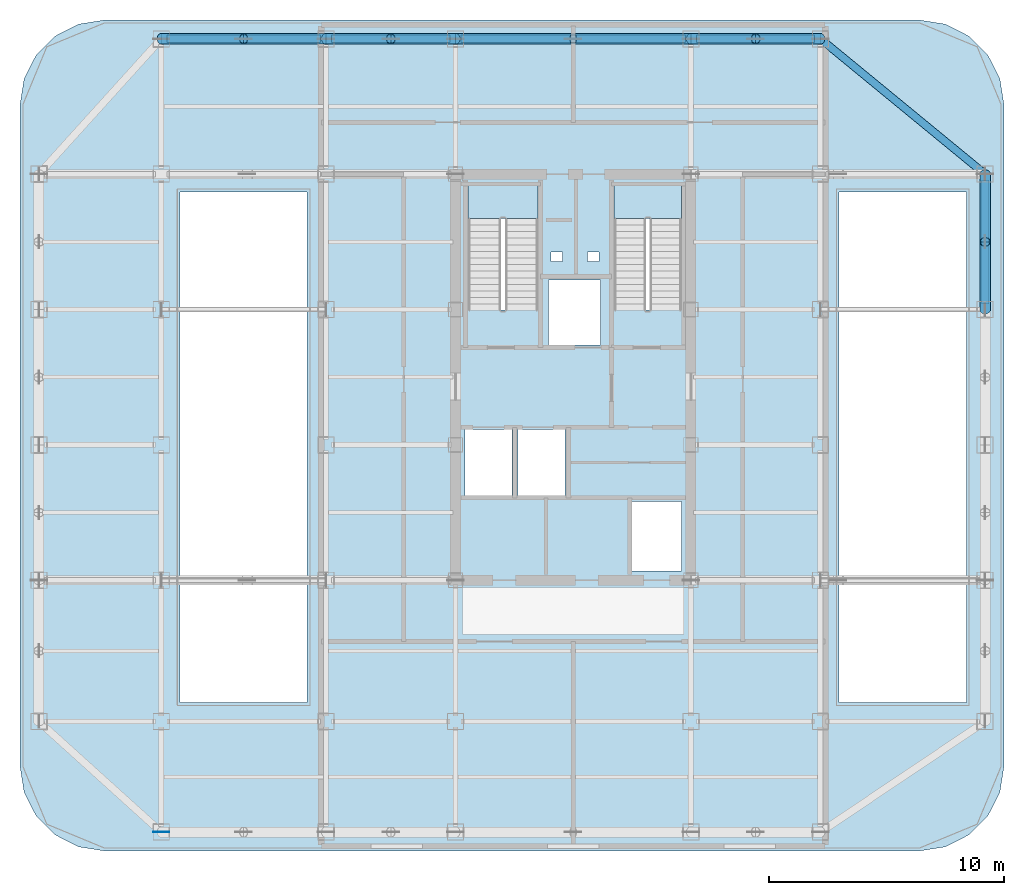
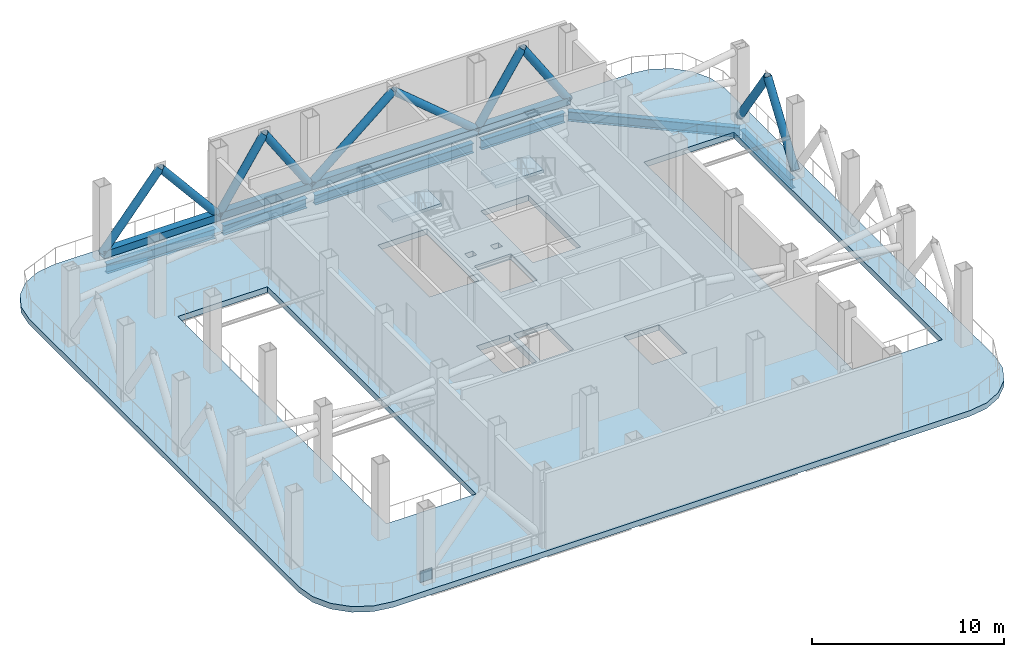
# One storey, part 3 of 10: 14 members, 6 beams, 3 slabs, 1 plate, 2 elements without a shape of their own.
"""IFC4 building model written with IfcOpenShell, lengths in metres."""

from ifc_helpers import new_model, si_unit, direction, frame, origin, origin_2d, place, context, subcontext, project, spatial, polyline, rectangle, hollow_rectangle, hollow_circle, i_section, outline, extrude, source, transform, mapped, material, layer, layer_set, material_profile, profile_set, type_object, element, aggregate, save


model = new_model("IFC4")

# Units and contexts
model_context = context("Model", 3, precision=1e-05, world=origin(), true_north=direction((0.0, 1.0)))
body_context = subcontext(model_context, "Body", "Model", "MODEL_VIEW")
ifc_project = project(units=[si_unit("LENGTHUNIT", "METRE"), si_unit("AREAUNIT", "SQUARE_METRE"), si_unit("VOLUMEUNIT", "CUBIC_METRE"), si_unit("PLANEANGLEUNIT", "RADIAN"), si_unit("MASSUNIT", "GRAM", prefix="KILO")], contexts=[model_context])

# Site, building, storey
site_placement = place(None, origin())
site = spatial("IfcSite", under=ifc_project, at=site_placement, CompositionType="ELEMENT")
building_placement = place(site_placement, origin())
building = spatial("IfcBuilding", under=site, at=building_placement, Name="Kolveth Station Tower", CompositionType="ELEMENT")
storey_placement = place(building_placement, frame((0.0, 0.0, 188.10009765625)))
storey = spatial("IfcBuildingStorey", under=building, at=storey_placement, Name="L53", CompositionType="ELEMENT", Elevation=188.10009765625)

# Beams
ifc_material_1 = material(Name="Steel S355", Category="steel")
ifc_material_profile_1 = material_profile(ifc_material_1, i_section(OverallWidth=0.323974609375, OverallDepth=0.611083984375, WebThickness=0.0126953125, FlangeThickness=0.01904296875, at=origin_2d()), Name="W610x155")
ifc_profile_set_1 = profile_set([ifc_material_profile_1], Name="Steel S355")
beam_type = type_object("IfcBeamType", Name="Beam_SP2", PredefinedType="SPANDREL", material=ifc_profile_set_1)
shared_shape_1 = source(origin(), body_context, "Body", "SweptSolid", [
    extrude(i_section(OverallWidth=0.323974609375, OverallDepth=0.611083984375, WebThickness=0.0126953125, FlangeThickness=0.01904296875, at=origin_2d()), origin(), (0.0, 0.0, 1.0), 6.52001953125),
])
beam_1_placement = place(storey_placement, frame((6.239990234375, 34.5, -0.66552734375), z_axis=(1.0, 0.0, 0.0), x_axis=(0.0, 1.0, 0.0)))
element("IfcBeam", 1, at=beam_1_placement, inside=storey, type_object=beam_type, Name="L53 Perimeter Spandrel BM-L53-PN-1", PredefinedType="SPANDREL", context=body_context, shape_type="MappedRepresentation", body=[
    mapped(shared_shape_1, transform((0.0, 0.0, 0.0), x_axis=(1.0, 0.0, 0.0), y_axis=(0.0, 1.0, 0.0), z_axis=(0.0, 0.0, 1.0), scale=1.0)),
])
shared_shape_2 = source(origin(), body_context, "Body", "SweptSolid", [
    extrude(i_section(OverallWidth=0.323974609375, OverallDepth=0.611083984375, WebThickness=0.0126953125, FlangeThickness=0.01904296875, at=origin_2d()), origin(), (0.0, 0.0, 1.0), 5.02001953125),
])
for number, where, z_axis, x_axis, name in (
    (2, (13.239990234375, 34.5, -0.66552734375), (1.0, 0.0, 0.0), (0.0, 1.0, 0.0), "L53 Perimeter Spandrel BM-L53-PN-2"),
    (3, (28.739990234375, 34.5, -0.66552734375), (1.0, 0.0, 0.0), (0.0, 1.0, 0.0), "L53 Perimeter Spandrel BM-L53-PN-4"),
):
    element("IfcBeam", number, at=place(storey_placement, frame(where, z_axis=z_axis, x_axis=x_axis)), inside=storey, type_object=beam_type, Name=name, PredefinedType="SPANDREL", context=body_context, shape_type="MappedRepresentation", body=[
        mapped(shared_shape_2, transform((0.0, 0.0, 0.0), x_axis=(1.0, 0.0, 0.0), y_axis=(0.0, 1.0, 0.0), z_axis=(0.0, 0.0, 1.0), scale=1.0)),
    ])
shared_shape_3 = source(origin(), body_context, "Body", "SweptSolid", [
    extrude(i_section(OverallWidth=0.323974609375, OverallDepth=0.611083984375, WebThickness=0.0126953125, FlangeThickness=0.01904296875, at=origin_2d()), origin(), (0.0, 0.0, 1.0), 9.52001953125),
])
beam_2_placement = place(storey_placement, frame((18.739990234375, 34.5, -0.66552734375), z_axis=(1.0, 0.0, 0.0), x_axis=(0.0, 1.0, 0.0)))
element("IfcBeam", 4, at=beam_2_placement, inside=storey, type_object=beam_type, Name="L53 Perimeter Spandrel BM-L53-PN-3", PredefinedType="SPANDREL", context=body_context, shape_type="MappedRepresentation", body=[
    mapped(shared_shape_3, transform((0.0, 0.0, 0.0), x_axis=(1.0, 0.0, 0.0), y_axis=(0.0, 1.0, 0.0), z_axis=(0.0, 0.0, 1.0), scale=1.0)),
])
shared_shape_4 = source(origin(), body_context, "Body", "SweptSolid", [
    extrude(i_section(OverallWidth=0.323974609375, OverallDepth=0.611083984375, WebThickness=0.0126953125, FlangeThickness=0.01904296875, at=origin_2d()), origin(), (0.0, 0.0, 1.0), 5.27001953125),
])
beam_3_placement = place(storey_placement, frame((41.0, 23.239990234375, -0.66552734375), z_axis=(0.0, 1.0, 0.0), x_axis=(-1.0, 0.0, 0.0)))
element("IfcBeam", 5, at=beam_3_placement, inside=storey, type_object=beam_type, Name="L53 Perimeter Spandrel BM-L53-PE-4", PredefinedType="SPANDREL", context=body_context, shape_type="MappedRepresentation", body=[
    mapped(shared_shape_4, transform((0.0, 0.0, 0.0), x_axis=(1.0, 0.0, 0.0), y_axis=(0.0, 1.0, 0.0), z_axis=(0.0, 0.0, 1.0), scale=1.0)),
])
shared_shape_5 = source(origin(), body_context, "Body", "SweptSolid", [
    extrude(i_section(OverallWidth=0.323974609375, OverallDepth=0.611083984375, WebThickness=0.0126953125, FlangeThickness=0.01904296875, at=origin_2d()), origin(), (0.0, 0.0, 1.0), 9.058837890625),
])
beam_4_placement = place(storey_placement, frame((41.0, 28.75, -0.66552734375), z_axis=(-0.772726254525, 0.63473942336, 0.0), x_axis=(-0.63473942336, -0.772726254525, 0.0)))
element("IfcBeam", 6, at=beam_4_placement, inside=storey, type_object=beam_type, Name="L53 Corner Edge Girder BM-L53-CNR-NE", PredefinedType="SPANDREL", context=body_context, shape_type="MappedRepresentation", body=[
    mapped(shared_shape_5, transform((0.0, 0.0, 0.0), x_axis=(1.0, 0.0, 0.0), y_axis=(0.0, 1.0, 0.0), z_axis=(0.0, 0.0, 1.0), scale=1.0)),
])

# Members
ifc_material_2 = material(Name="Steel S460", Category="steel")
ifc_material_profile_2 = material_profile(ifc_material_2, hollow_rectangle(XDim=0.449951171875, YDim=0.449951171875, WallThickness=0.02490234375, at=origin_2d()), Name="HSS450x450x25")
ifc_profile_set_2 = profile_set([ifc_material_profile_2], Name="Steel S460")
member_type_1 = type_object("IfcMemberType", Name="Mem_CH1", PredefinedType="CHORD", material=ifc_profile_set_2)
shared_shape_6 = source(origin(), body_context, "Body", "SweptSolid", [
    extrude(hollow_rectangle(XDim=0.449951171875, YDim=0.449951171875, WallThickness=0.02490234375, at=origin_2d()), origin(), (0.0, 0.0, 1.0), 7.0),
])
member_1_placement = place(storey_placement, frame((6.0, 34.5, 0.349853515625), z_axis=(1.0, 0.0, 0.0), x_axis=(0.0, 1.0, 0.0)))
element("IfcMember", 7, at=member_1_placement, inside=storey, type_object=member_type_1, Name="L53 Belt Truss Bottom Chord N1", PredefinedType="CHORD", context=body_context, shape_type="MappedRepresentation", body=[
    mapped(shared_shape_6, transform((0.0, 0.0, 0.0), x_axis=(1.0, 0.0, 0.0), y_axis=(0.0, 1.0, 0.0), z_axis=(0.0, 0.0, 1.0), scale=1.0)),
])
shared_shape_7 = source(origin(), body_context, "Body", "SweptSolid", [
    extrude(hollow_rectangle(XDim=0.449951171875, YDim=0.449951171875, WallThickness=0.02490234375, at=origin_2d()), origin(), (0.0, 0.0, 1.0), 5.5),
])
for number, where, z_axis, x_axis, name in (
    (8, (13.0, 34.5, 0.349853515625), (1.0, 0.0, 0.0), (0.0, 1.0, 0.0), "L53 Belt Truss Bottom Chord N2"),
    (9, (28.5, 34.5, 0.349853515625), (1.0, 0.0, 0.0), (0.0, 1.0, 0.0), "L53 Belt Truss Bottom Chord N4"),
):
    element("IfcMember", number, at=place(storey_placement, frame(where, z_axis=z_axis, x_axis=x_axis)), inside=storey, type_object=member_type_1, Name=name, PredefinedType="CHORD", context=body_context, shape_type="MappedRepresentation", body=[
        mapped(shared_shape_7, transform((0.0, 0.0, 0.0), x_axis=(1.0, 0.0, 0.0), y_axis=(0.0, 1.0, 0.0), z_axis=(0.0, 0.0, 1.0), scale=1.0)),
    ])
shared_shape_8 = source(origin(), body_context, "Body", "SweptSolid", [
    extrude(hollow_rectangle(XDim=0.449951171875, YDim=0.449951171875, WallThickness=0.02490234375, at=origin_2d()), origin(), (0.0, 0.0, 1.0), 10.0),
])
member_2_placement = place(storey_placement, frame((18.5, 34.5, 0.349853515625), z_axis=(1.0, 0.0, 0.0), x_axis=(0.0, 1.0, 0.0)))
element("IfcMember", 10, at=member_2_placement, inside=storey, type_object=member_type_1, Name="L53 Belt Truss Bottom Chord N3", PredefinedType="CHORD", context=body_context, shape_type="MappedRepresentation", body=[
    mapped(shared_shape_8, transform((0.0, 0.0, 0.0), x_axis=(1.0, 0.0, 0.0), y_axis=(0.0, 1.0, 0.0), z_axis=(0.0, 0.0, 1.0), scale=1.0)),
])
ifc_material_profile_3 = material_profile(ifc_material_2, hollow_circle(Radius=0.228515625, WallThickness=0.02197265625, at=origin_2d()), Name="CHS457x22")
ifc_profile_set_3 = profile_set([ifc_material_profile_3], Name="Steel S460")
member_type_2 = type_object("IfcMemberType", Name="Mem_BR2", PredefinedType="BRACE", material=ifc_profile_set_3)
shared_shape_9 = source(origin(), body_context, "Body", "SweptSolid", [
    extrude(hollow_circle(Radius=0.228515625, WallThickness=0.02197265625, at=origin_2d()), origin(), (0.0, 0.0, 1.0), 5.467041015625),
])
for number, where, z_axis, x_axis, name in (
    (11, (6.0, 34.5, 0.349853515625), (0.64018879205, 0.0, 0.768217619255), (0.0, 1.0, 0.0), "L53 Belt Truss Brace N1A"),
    (12, (13.0, 34.5, 0.349853515625), (-0.64018879205, 0.0, 0.768217619255), (0.0, -1.0, 0.0), "L53 Belt Truss Brace N1B"),
):
    element("IfcMember", number, at=place(storey_placement, frame(where, z_axis=z_axis, x_axis=x_axis)), inside=storey, type_object=member_type_2, Name=name, PredefinedType="BRACE", context=body_context, shape_type="MappedRepresentation", body=[
        mapped(shared_shape_9, transform((0.0, 0.0, 0.0), x_axis=(1.0, 0.0, 0.0), y_axis=(0.0, 1.0, 0.0), z_axis=(0.0, 0.0, 1.0), scale=1.0)),
    ])
shared_shape_10 = source(origin(), body_context, "Body", "SweptSolid", [
    extrude(hollow_circle(Radius=0.228515625, WallThickness=0.02197265625, at=origin_2d()), origin(), (0.0, 0.0, 1.0), 5.020263671875),
])
for number, where, z_axis, x_axis, name in (
    (13, (13.0, 34.5, 0.349853515625), (0.547790398843, 0.0, 0.836615610023), (0.0, 1.0, 0.0), "L53 Belt Truss Brace N2A"),
    (14, (18.5, 34.5, 0.349853515625), (-0.547790398843, 0.0, 0.836615610023), (0.0, -1.0, 0.0), "L53 Belt Truss Brace N2B"),
    (15, (28.5, 34.5, 0.349853515625), (0.547790398843, 0.0, 0.836615610023), (0.0, 1.0, 0.0), "L53 Belt Truss Brace N4A"),
    (16, (34.0, 34.5, 0.349853515625), (-0.547790398843, 0.0, 0.836615610023), (0.0, -1.0, 0.0), "L53 Belt Truss Brace N4B"),
):
    element("IfcMember", number, at=place(storey_placement, frame(where, z_axis=z_axis, x_axis=x_axis)), inside=storey, type_object=member_type_2, Name=name, PredefinedType="BRACE", context=body_context, shape_type="MappedRepresentation", body=[
        mapped(shared_shape_10, transform((0.0, 0.0, 0.0), x_axis=(1.0, 0.0, 0.0), y_axis=(0.0, 1.0, 0.0), z_axis=(0.0, 0.0, 1.0), scale=1.0)),
    ])
shared_shape_11 = source(origin(), body_context, "Body", "SweptSolid", [
    extrude(hollow_circle(Radius=0.228515625, WallThickness=0.02197265625, at=origin_2d()), origin(), (0.0, 0.0, 1.0), 6.52978515625),
])
for number, where, z_axis, x_axis, name in (
    (17, (18.5, 34.5, 0.349853515625), (0.765708547471, 0.0, 0.643187702253), (0.0, 1.0, 0.0), "L53 Belt Truss Brace N3A"),
    (18, (28.5, 34.5, 0.349853515625), (-0.765708547471, 0.0, 0.643187702253), (0.0, -1.0, 0.0), "L53 Belt Truss Brace N3B"),
):
    element("IfcMember", number, at=place(storey_placement, frame(where, z_axis=z_axis, x_axis=x_axis)), inside=storey, type_object=member_type_2, Name=name, PredefinedType="BRACE", context=body_context, shape_type="MappedRepresentation", body=[
        mapped(shared_shape_11, transform((0.0, 0.0, 0.0), x_axis=(1.0, 0.0, 0.0), y_axis=(0.0, 1.0, 0.0), z_axis=(0.0, 0.0, 1.0), scale=1.0)),
    ])
shared_shape_12 = source(origin(), body_context, "Body", "SweptSolid", [
    extrude(hollow_circle(Radius=0.228515625, WallThickness=0.02197265625, at=origin_2d()), origin(), (0.0, 0.0, 1.0), 5.089599609375),
])
for number, where, z_axis, x_axis, name in (
    (19, (41.0, 23.0, 0.349853515625), (0.0, 0.564864458726, 0.82518370274), (-1.0, 0.0, 0.0), "L53 Belt Truss Brace E4A"),
    (20, (41.0, 28.75, 0.349853515625), (0.0, -0.564864458726, 0.82518370274), (1.0, 0.0, 0.0), "L53 Belt Truss Brace E4B"),
):
    element("IfcMember", number, at=place(storey_placement, frame(where, z_axis=z_axis, x_axis=x_axis)), inside=storey, type_object=member_type_2, Name=name, PredefinedType="BRACE", context=body_context, shape_type="MappedRepresentation", body=[
        mapped(shared_shape_12, transform((0.0, 0.0, 0.0), x_axis=(1.0, 0.0, 0.0), y_axis=(0.0, 1.0, 0.0), z_axis=(0.0, 0.0, 1.0), scale=1.0)),
    ])

# Slab
ifc_material_3 = material(Name="Concrete C50/60", Category="concrete")
ifc_layer_1 = layer(ifc_material_3, 0.360107421875)
ifc_layer_set_1 = layer_set([ifc_layer_1], Name="Concrete C50/60")
slab_type_1 = type_object("IfcSlabType", Name="Slab_SF-360", PredefinedType="FLOOR", material=ifc_layer_set_1)
slab_1_placement = place(storey_placement, frame((0.0, 0.0, -0.360107421875)))
element("IfcSlab", 21, at=slab_1_placement, inside=storey, type_object=slab_type_1, Name="L53 Tower Structural Floor Slab", PredefinedType="FLOOR", context=body_context, shape_type="SweptSolid", body=[
    extrude(outline(polyline([(38.199951171875, 0.0), (39.3125, 0.17626953125), (40.31591796875, 0.6875), (41.112548828125, 1.48388671875), (41.623779296875, 2.487548828125), (41.800048828125, 3.60009765625), (41.800048828125, 31.699951171875), (41.623779296875, 32.8125), (41.112548828125, 33.81591796875), (40.31591796875, 34.612548828125), (39.3125, 35.123779296875), (38.199951171875, 35.300048828125), (3.60009765625, 35.300048828125), (2.487548828125, 35.123779296875), (1.48388671875, 34.612548828125), (0.6875, 33.81591796875), (0.17626953125, 32.8125), (0.0, 31.699951171875), (0.0, 3.60009765625), (0.17626953125, 2.487548828125), (0.6875, 1.48388671875), (1.48388671875, 0.6875), (2.487548828125, 0.17626953125), (3.60009765625, 0.0), (38.199951171875, 0.0)]), holes=[polyline([(19.0400390625, 22.985107421875), (22.0, 22.985107421875), (22.0, 28.39990234375), (19.0400390625, 28.39990234375), (19.0400390625, 22.985107421875)]), polyline([(25.239990234375, 22.985107421875), (28.10009765625, 22.985107421875), (28.10009765625, 28.39990234375), (25.239990234375, 28.39990234375), (25.239990234375, 22.985107421875)]), polyline([(18.89990234375, 15.10009765625), (20.89990234375, 15.10009765625), (20.89990234375, 17.89990234375), (18.89990234375, 17.89990234375), (18.89990234375, 15.10009765625)]), polyline([(21.14990234375, 15.10009765625), (23.14990234375, 15.10009765625), (23.14990234375, 17.89990234375), (21.14990234375, 17.89990234375), (21.14990234375, 15.10009765625)]), polyline([(22.449951171875, 21.5), (24.64990234375, 21.5), (24.64990234375, 24.25), (22.449951171875, 24.25), (22.449951171875, 21.5)]), polyline([(26.0, 11.89990234375), (28.10009765625, 11.89990234375), (28.10009765625, 14.85009765625), (26.0, 14.85009765625), (26.0, 11.89990234375)]), polyline([(22.550048828125, 25.050048828125), (23.050048828125, 25.050048828125), (23.050048828125, 25.449951171875), (22.550048828125, 25.449951171875), (22.550048828125, 25.050048828125)]), polyline([(24.10009765625, 25.050048828125), (24.60009765625, 25.050048828125), (24.60009765625, 25.449951171875), (24.10009765625, 25.449951171875), (24.10009765625, 25.050048828125)]), polyline([(6.800048828125, 6.300048828125), (12.199951171875, 6.300048828125), (12.199951171875, 28.0), (6.800048828125, 28.0), (6.800048828125, 6.300048828125)]), polyline([(34.800048828125, 6.300048828125), (40.199951171875, 6.300048828125), (40.199951171875, 28.0), (34.800048828125, 28.0), (34.800048828125, 6.300048828125)])]), origin(), (0.0, 0.0, 1.0), 0.360107421875),
])

# Stair, slab
ifc_material_4 = material(Name="Concrete C40/50", Category="concrete")
stair_type_1 = type_object("IfcStairType", Name="Stair_ST2", PredefinedType="HALF_TURN_STAIR", material=ifc_material_4)
stair_1_placement = place(storey_placement, origin())
stair_1 = element("IfcStair", 22, at=stair_1_placement, inside=storey, type_object=stair_type_1, Name="L53 Tower Exit Stair ST2", PredefinedType="HALF_TURN_STAIR")
ifc_layer_2 = layer(ifc_material_4, 0.18994140625)
ifc_layer_set_2 = layer_set([ifc_layer_2], Name="Concrete C40/50")
slab_type_2 = type_object("IfcSlabType", Name="Slab_SL-190", PredefinedType="LANDING", material=ifc_layer_set_2)
slab_2_placement = place(storey_placement, frame((0.0, 0.0, 2.349853515625)))
slab_2 = element("IfcSlab", 23, at=slab_2_placement, type_object=slab_type_2, Name="ST2 landing 1", PredefinedType="LANDING", context=body_context, shape_type="SweptSolid", body=[
    extrude(outline(polyline([(28.10009765625, 26.8701171875), (28.10009765625, 28.39990234375), (25.239990234375, 28.39990234375), (25.239990234375, 26.8701171875), (28.10009765625, 26.8701171875)])), origin(), (0.0, 0.0, 1.0), 0.199951171875),
])
aggregate(stair_1, [slab_2])

stair_type_2 = type_object("IfcStairType", Name="Stair_ST1", PredefinedType="HALF_TURN_STAIR", material=ifc_material_4)
stair_2_placement = place(storey_placement, origin())
stair_2 = element("IfcStair", 24, at=stair_2_placement, inside=storey, type_object=stair_type_2, Name="L53 Tower Exit Stair ST1", PredefinedType="HALF_TURN_STAIR")
ifc_layer_3 = layer(ifc_material_4, 0.205078125)
ifc_layer_set_3 = layer_set([ifc_layer_3], Name="Concrete C40/50")
slab_type_3 = type_object("IfcSlabType", Name="Slab_SL-205", PredefinedType="LANDING", material=ifc_layer_set_3)
slab_3_placement = place(storey_placement, frame((0.0, 0.0, 2.349853515625)))
slab_3 = element("IfcSlab", 25, at=slab_3_placement, type_object=slab_type_3, Name="ST1 landing 1", PredefinedType="LANDING", context=body_context, shape_type="SweptSolid", body=[
    extrude(outline(polyline([(22.0, 26.8701171875), (22.0, 28.39990234375), (19.0400390625, 28.39990234375), (19.0400390625, 26.8701171875), (22.0, 26.8701171875)])), origin(), (0.0, 0.0, 1.0), 0.199951171875),
])
aggregate(stair_2, [slab_3])

# Plate
ifc_layer_4 = layer(ifc_material_1, 0.02490234375)
ifc_layer_set_4 = layer_set([ifc_layer_4], Name="Steel S355")
plate_type = type_object("IfcPlateType", Name="Plate_GP2", PredefinedType="USERDEFINED", material=ifc_layer_set_4)
shared_shape_13 = source(origin(), body_context, "Body", "SweptSolid", [
    extrude(rectangle(XDim=0.699951171875, YDim=0.02490234375, at=origin_2d()), origin(), (0.0, 0.0, 1.0), 0.699951171875),
])
plate_placement = place(storey_placement, frame((6.0, 0.800048828125, 0.0), z_axis=(0.0, 0.0, 1.0), x_axis=(1.0, 0.0, 0.0)))
element("IfcPlate", 26, at=plate_placement, inside=storey, type_object=plate_type, Name="L53 Belt Truss Base Gusset S1", ObjectType="GUSSET_PLATE", PredefinedType="USERDEFINED", context=body_context, shape_type="MappedRepresentation", body=[
    mapped(shared_shape_13, transform((0.0, 0.0, 0.0), x_axis=(1.0, 0.0, 0.0), y_axis=(0.0, 1.0, 0.0), z_axis=(0.0, 0.0, 1.0), scale=1.0)),
])

save(model, "model.ifc")
